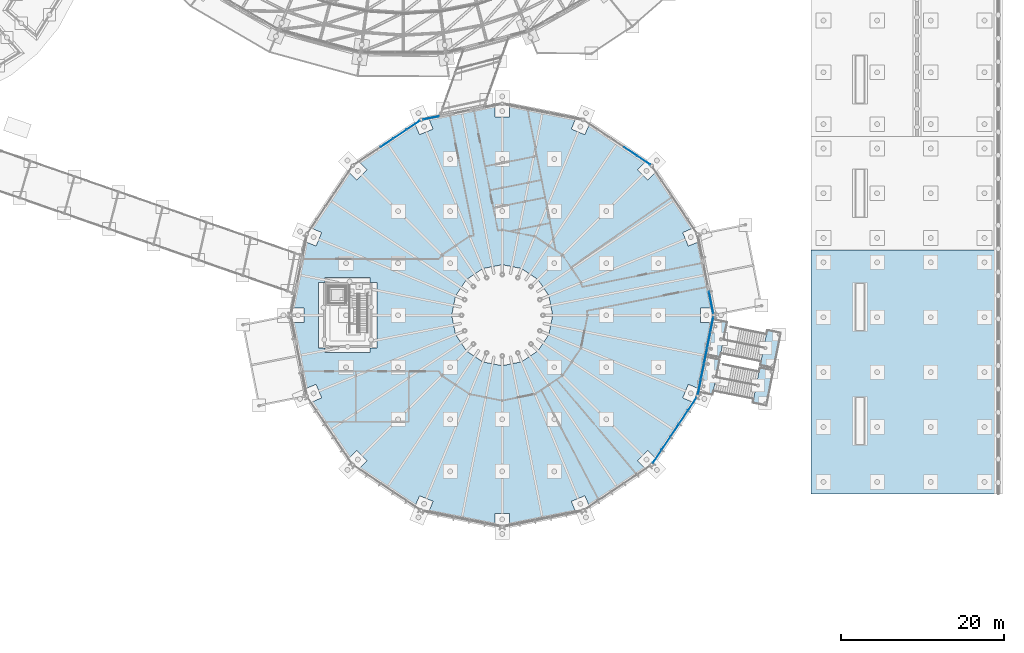
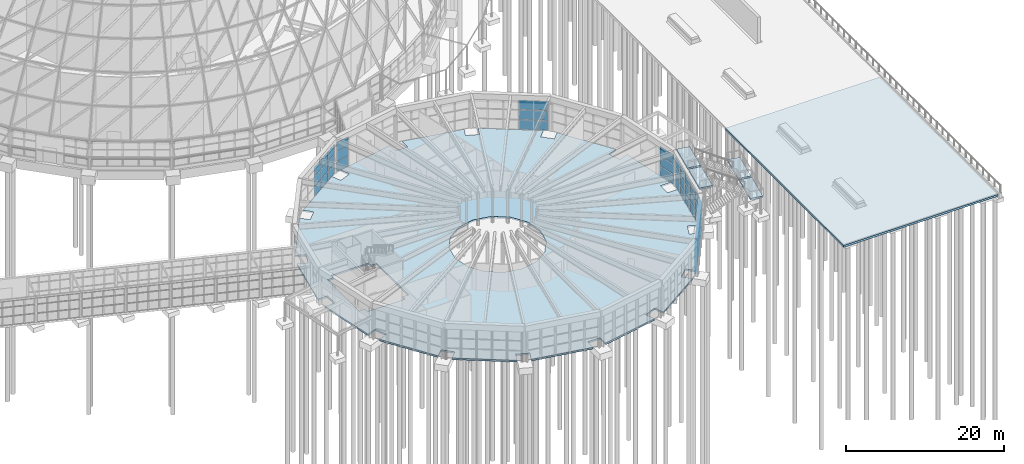
# One storey, part 143 of 226: 51 plates, 6 slabs, 8 elements without a shape of their own.
"""IFC4 building model written with IfcOpenShell, lengths in metres."""

from ifc_helpers import new_model, si_unit, direction, frame, origin, origin_2d, place, context, subcontext, project, spatial, polyline, rectangle, outline, extrude, material, layer, layer_set, type_object, element, aggregate, save


model = new_model("IFC4")

# Units and contexts
model_context = context("Model", 3, precision=1e-05, world=origin(), true_north=direction((0.0, 1.0)))
body_context = subcontext(model_context, "Body", "Model", "MODEL_VIEW")
ifc_project = project(units=[si_unit("LENGTHUNIT", "METRE"), si_unit("AREAUNIT", "SQUARE_METRE"), si_unit("VOLUMEUNIT", "CUBIC_METRE"), si_unit("PLANEANGLEUNIT", "RADIAN"), si_unit("MASSUNIT", "GRAM", prefix="KILO")], contexts=[model_context])

# Site, building, storey
site_placement = place(None, origin())
site = spatial("IfcSite", under=ifc_project, at=site_placement, CompositionType="ELEMENT")
building_placement = place(site_placement, origin())
building = spatial("IfcBuilding", under=site, at=building_placement, Name="Ceibo Conservatory and Research Tower", CompositionType="ELEMENT")
storey_placement = place(building_placement, origin())
storey = spatial("IfcBuildingStorey", under=building, at=storey_placement, Name="L00", CompositionType="ELEMENT", Elevation=0.0)

# Stair, slabs
ifc_material_1 = material(Name="Concrete C35/45", Category="concrete")
stair_type = type_object("IfcStairType", Name="External stair 3400", PredefinedType="DOUBLE_RETURN_STAIR", material=ifc_material_1)
stair_1_placement = place(storey_placement, origin())
stair_1 = element("IfcStair", 1, at=stair_1_placement, inside=storey, type_object=stair_type, Name="Pavilion external stair 1", PredefinedType="DOUBLE_RETURN_STAIR")
ifc_layer_1 = layer(ifc_material_1, 0.25)
ifc_layer_set_1 = layer_set([ifc_layer_1], Name="Concrete C35/45")
slab_type_1 = type_object("IfcSlabType", Name="External stair landing 250", PredefinedType="LANDING", material=ifc_layer_set_1)
slab_1_placement = place(storey_placement, frame((194.72705078125, 30.53076171875, 5.75), z_axis=(0.0, 0.0, 1.0), x_axis=(-0.980785283808, 0.195090304898, 0.0)))
slab_1 = element("IfcSlab", 2, at=slab_1_placement, type_object=slab_type_1, Name="VC-XS1 landing 1", PredefinedType="LANDING", context=body_context, shape_type="SweptSolid", body=[
    extrude(outline(polyline([(0.0, 0.0), (1.780029296875, 0.0), (1.780029296875, 4.39990234375), (0.0, 4.39990234375), (0.0, 0.0)])), origin(), (0.0, 0.0, 1.0), 0.25),
])
slab_2_placement = place(storey_placement, frame((201.33740234375, 29.2158203125, 2.583251953125), z_axis=(0.0, 0.0, 1.0), x_axis=(-0.980785283808, 0.195090304898, 0.0)))
slab_2 = element("IfcSlab", 3, at=slab_2_placement, type_object=slab_type_1, Name="VC-XS1 landing 2", PredefinedType="LANDING", context=body_context, shape_type="SweptSolid", body=[
    extrude(outline(polyline([(0.0, 0.0), (1.699951171875, 0.0), (1.699951171875, 4.39990234375), (0.0, 4.39990234375), (0.0, 0.0)])), origin(), (0.0, 0.0, 1.0), 0.25),
])
aggregate(stair_1, [slab_1, slab_2])

stair_2_placement = place(storey_placement, origin())
stair_2 = element("IfcStair", 4, at=stair_2_placement, inside=storey, type_object=stair_type, Name="Pavilion external stair 2", PredefinedType="DOUBLE_RETURN_STAIR")
slab_3_placement = place(storey_placement, frame((195.643798828125, 35.140380859375, 5.75), z_axis=(0.0, 0.0, 1.0), x_axis=(-0.980785283808, 0.195090304898, 0.0)))
slab_3 = element("IfcSlab", 5, at=slab_3_placement, type_object=slab_type_1, Name="VC-XS2 landing 1", PredefinedType="LANDING", context=body_context, shape_type="SweptSolid", body=[
    extrude(outline(polyline([(0.0, 0.0), (1.780029296875, 0.0), (1.780029296875, 4.39990234375), (0.0, 4.39990234375), (0.0, 0.0)])), origin(), (0.0, 0.0, 1.0), 0.25),
])
slab_4_placement = place(storey_placement, frame((202.25439453125, 33.825439453125, 2.583251953125), z_axis=(0.0, 0.0, 1.0), x_axis=(-0.980785283808, 0.195090304898, 0.0)))
slab_4 = element("IfcSlab", 6, at=slab_4_placement, type_object=slab_type_1, Name="VC-XS2 landing 2", PredefinedType="LANDING", context=body_context, shape_type="SweptSolid", body=[
    extrude(outline(polyline([(0.0, 0.0), (1.699951171875, 0.0), (1.699951171875, 4.39990234375), (0.0, 4.39990234375), (0.0, 0.0)])), origin(), (0.0, 0.0, 1.0), 0.25),
])
aggregate(stair_2, [slab_3, slab_4])

# Curtain wall, plates
ifc_material_2 = material(Name="Aluminium and glass", Category="aluminium")
curtain_wall_type = type_object("IfcCurtainWallType", Name="Pavilion curtain wall", PredefinedType="NOTDEFINED", material=ifc_material_2)
curtain_wall_1_placement = place(storey_placement, origin())
curtain_wall_1 = element("IfcCurtainWall", 7, at=curtain_wall_1_placement, inside=storey, type_object=curtain_wall_type, Name="Pavilion curtain wall VC-CW01W", PredefinedType="NOTDEFINED")
ifc_material_3 = material(Name="Laminated glass", Category="glass")
ifc_layer_2 = layer(ifc_material_3, 0.028076171875)
ifc_layer_set_2 = layer_set([ifc_layer_2], Name="Laminated glass")
plate_type = type_object("IfcPlateType", Name="Pavilion glass 28", PredefinedType="CURTAIN_PANEL", material=ifc_layer_set_2)
plate_1_placement = place(storey_placement, frame((193.690185546875, 37.557373046875, 0.06005859375), z_axis=(0.0, 0.0, 1.0), x_axis=(-0.195090311899, 0.980785282416, 0.0)))
plate_1 = element("IfcPlate", 8, at=plate_1_placement, type_object=plate_type, Name="VC-CW01W panel 1.1", PredefinedType="CURTAIN_PANEL", context=body_context, shape_type="SweptSolid", body=[
    extrude(rectangle(XDim=2.649169921875, YDim=0.028076171875, at=origin_2d()), origin(), (0.0, 0.0, 1.0), 1.490966796875),
])
plate_2_placement = place(storey_placement, frame((193.690185546875, 37.557373046875, 1.61083984375), z_axis=(0.0, 0.0, 1.0), x_axis=(-0.195090311899, 0.980785282416, 0.0)))
plate_2 = element("IfcPlate", 9, at=plate_2_placement, type_object=plate_type, Name="VC-CW01W panel 1.2", PredefinedType="CURTAIN_PANEL", context=body_context, shape_type="SweptSolid", body=[
    extrude(rectangle(XDim=2.649169921875, YDim=0.028076171875, at=origin_2d()), origin(), (0.0, 0.0, 1.0), 1.47412109375),
])
plate_3_placement = place(storey_placement, frame((193.690185546875, 37.557373046875, 3.14501953125), z_axis=(0.0, 0.0, 1.0), x_axis=(-0.195090311899, 0.980785282416, 0.0)))
plate_3 = element("IfcPlate", 10, at=plate_3_placement, type_object=plate_type, Name="VC-CW01W panel 1.3", PredefinedType="CURTAIN_PANEL", context=body_context, shape_type="SweptSolid", body=[
    extrude(rectangle(XDim=2.649169921875, YDim=0.028076171875, at=origin_2d()), origin(), (0.0, 0.0, 1.0), 1.444091796875),
])
aggregate(curtain_wall_1, [plate_1, plate_2, plate_3])

curtain_wall_2_placement = place(storey_placement, origin())
curtain_wall_2 = element("IfcCurtainWall", 11, at=curtain_wall_2_placement, inside=storey, type_object=curtain_wall_type, Name="Pavilion curtain wall VC-CW03", PredefinedType="NOTDEFINED")
plate_4_placement = place(storey_placement, frame((185.3935546875, 55.047119140625, 0.06005859375), z_axis=(0.0, 0.0, 1.0), x_axis=(-0.831469588992, 0.555570267906, 0.0)))
plate_4 = element("IfcPlate", 12, at=plate_4_placement, type_object=plate_type, Name="VC-CW03 panel 1.1", PredefinedType="CURTAIN_PANEL", context=body_context, shape_type="SweptSolid", body=[
    extrude(rectangle(XDim=1.857666015625, YDim=0.028076171875, at=origin_2d()), origin(), (0.0, 0.0, 1.0), 1.490966796875),
])
plate_5_placement = place(storey_placement, frame((185.3935546875, 55.047119140625, 1.61083984375), z_axis=(0.0, 0.0, 1.0), x_axis=(-0.831469588992, 0.555570267906, 0.0)))
plate_5 = element("IfcPlate", 13, at=plate_5_placement, type_object=plate_type, Name="VC-CW03 panel 1.2", PredefinedType="CURTAIN_PANEL", context=body_context, shape_type="SweptSolid", body=[
    extrude(rectangle(XDim=1.857666015625, YDim=0.028076171875, at=origin_2d()), origin(), (0.0, 0.0, 1.0), 1.47412109375),
])
plate_6_placement = place(storey_placement, frame((185.3935546875, 55.047119140625, 3.14501953125), z_axis=(0.0, 0.0, 1.0), x_axis=(-0.831469588992, 0.555570267906, 0.0)))
plate_6 = element("IfcPlate", 14, at=plate_6_placement, type_object=plate_type, Name="VC-CW03 panel 1.3", PredefinedType="CURTAIN_PANEL", context=body_context, shape_type="SweptSolid", body=[
    extrude(rectangle(XDim=1.857666015625, YDim=0.028076171875, at=origin_2d()), origin(), (0.0, 0.0, 1.0), 1.444091796875),
])
plate_7_placement = place(storey_placement, frame((183.78662109375, 56.120849609375, 0.06005859375), z_axis=(0.0, 0.0, 1.0), x_axis=(-0.831469588992, 0.555570267906, 0.0)))
plate_7 = element("IfcPlate", 15, at=plate_7_placement, type_object=plate_type, Name="VC-CW03 panel 2.1", PredefinedType="CURTAIN_PANEL", context=body_context, shape_type="SweptSolid", body=[
    extrude(rectangle(XDim=1.8876953125, YDim=0.028076171875, at=origin_2d()), origin(), (0.0, 0.0, 1.0), 1.490966796875),
])
plate_8_placement = place(storey_placement, frame((183.78662109375, 56.120849609375, 1.61083984375), z_axis=(0.0, 0.0, 1.0), x_axis=(-0.831469588992, 0.555570267906, 0.0)))
plate_8 = element("IfcPlate", 16, at=plate_8_placement, type_object=plate_type, Name="VC-CW03 panel 2.2", PredefinedType="CURTAIN_PANEL", context=body_context, shape_type="SweptSolid", body=[
    extrude(rectangle(XDim=1.8876953125, YDim=0.028076171875, at=origin_2d()), origin(), (0.0, 0.0, 1.0), 1.47412109375),
])
plate_9_placement = place(storey_placement, frame((183.78662109375, 56.120849609375, 3.14501953125), z_axis=(0.0, 0.0, 1.0), x_axis=(-0.831469588992, 0.555570267906, 0.0)))
plate_9 = element("IfcPlate", 17, at=plate_9_placement, type_object=plate_type, Name="VC-CW03 panel 2.3", PredefinedType="CURTAIN_PANEL", context=body_context, shape_type="SweptSolid", body=[
    extrude(rectangle(XDim=1.8876953125, YDim=0.028076171875, at=origin_2d()), origin(), (0.0, 0.0, 1.0), 1.444091796875),
])
aggregate(curtain_wall_2, [plate_4, plate_5, plate_6, plate_7, plate_8, plate_9])

curtain_wall_3_placement = place(storey_placement, origin())
curtain_wall_3 = element("IfcCurtainWall", 18, at=curtain_wall_3_placement, inside=storey, type_object=curtain_wall_type, Name="Pavilion curtain wall VC-CW05E", PredefinedType="NOTDEFINED")
plate_10_placement = place(storey_placement, frame((159.266845703125, 60.262939453125, 0.06005859375), z_axis=(0.0, 0.0, 1.0), x_axis=(-0.980785282416, -0.195090311899, 0.0)))
plate_10 = element("IfcPlate", 19, at=plate_10_placement, type_object=plate_type, Name="VC-CW05E panel 1.1", PredefinedType="CURTAIN_PANEL", context=body_context, shape_type="SweptSolid", body=[
    extrude(rectangle(XDim=1.954345703125, YDim=0.028076171875, at=origin_2d()), origin(), (0.0, 0.0, 1.0), 1.490966796875),
])
plate_11_placement = place(storey_placement, frame((159.266845703125, 60.262939453125, 1.61083984375), z_axis=(0.0, 0.0, 1.0), x_axis=(-0.980785282416, -0.195090311899, 0.0)))
plate_11 = element("IfcPlate", 20, at=plate_11_placement, type_object=plate_type, Name="VC-CW05E panel 1.2", PredefinedType="CURTAIN_PANEL", context=body_context, shape_type="SweptSolid", body=[
    extrude(rectangle(XDim=1.954345703125, YDim=0.028076171875, at=origin_2d()), origin(), (0.0, 0.0, 1.0), 1.47412109375),
])
plate_12_placement = place(storey_placement, frame((159.266845703125, 60.262939453125, 3.14501953125), z_axis=(0.0, 0.0, 1.0), x_axis=(-0.980785282416, -0.195090311899, 0.0)))
plate_12 = element("IfcPlate", 21, at=plate_12_placement, type_object=plate_type, Name="VC-CW05E panel 1.3", PredefinedType="CURTAIN_PANEL", context=body_context, shape_type="SweptSolid", body=[
    extrude(rectangle(XDim=1.954345703125, YDim=0.028076171875, at=origin_2d()), origin(), (0.0, 0.0, 1.0), 1.444091796875),
])
aggregate(curtain_wall_3, [plate_10, plate_11, plate_12])

curtain_wall_4_placement = place(storey_placement, origin())
curtain_wall_4 = element("IfcCurtainWall", 22, at=curtain_wall_4_placement, inside=storey, type_object=curtain_wall_type, Name="Pavilion curtain wall VC-CW06", PredefinedType="NOTDEFINED")
plate_13_placement = place(storey_placement, frame((157.05908203125, 59.358642578125, 0.06005859375), z_axis=(0.0, 0.0, 1.0), x_axis=(-0.831469588992, -0.555570267906, 0.0)))
plate_13 = element("IfcPlate", 23, at=plate_13_placement, type_object=plate_type, Name="VC-CW06 panel 1.1", PredefinedType="CURTAIN_PANEL", context=body_context, shape_type="SweptSolid", body=[
    extrude(rectangle(XDim=1.857666015625, YDim=0.028076171875, at=origin_2d()), origin(), (0.0, 0.0, 1.0), 1.490966796875),
])
plate_14_placement = place(storey_placement, frame((157.05908203125, 59.358642578125, 1.61083984375), z_axis=(0.0, 0.0, 1.0), x_axis=(-0.831469588992, -0.555570267906, 0.0)))
plate_14 = element("IfcPlate", 24, at=plate_14_placement, type_object=plate_type, Name="VC-CW06 panel 1.2", PredefinedType="CURTAIN_PANEL", context=body_context, shape_type="SweptSolid", body=[
    extrude(rectangle(XDim=1.857666015625, YDim=0.028076171875, at=origin_2d()), origin(), (0.0, 0.0, 1.0), 1.47412109375),
])
plate_15_placement = place(storey_placement, frame((157.05908203125, 59.358642578125, 3.14501953125), z_axis=(0.0, 0.0, 1.0), x_axis=(-0.831469588992, -0.555570267906, 0.0)))
plate_15 = element("IfcPlate", 25, at=plate_15_placement, type_object=plate_type, Name="VC-CW06 panel 1.3", PredefinedType="CURTAIN_PANEL", context=body_context, shape_type="SweptSolid", body=[
    extrude(rectangle(XDim=1.857666015625, YDim=0.028076171875, at=origin_2d()), origin(), (0.0, 0.0, 1.0), 1.444091796875),
])
plate_16_placement = place(storey_placement, frame((155.4521484375, 58.284912109375, 0.06005859375), z_axis=(0.0, 0.0, 1.0), x_axis=(-0.831469588992, -0.555570267906, 0.0)))
plate_16 = element("IfcPlate", 26, at=plate_16_placement, type_object=plate_type, Name="VC-CW06 panel 2.1", PredefinedType="CURTAIN_PANEL", context=body_context, shape_type="SweptSolid", body=[
    extrude(rectangle(XDim=1.8876953125, YDim=0.028076171875, at=origin_2d()), origin(), (0.0, 0.0, 1.0), 1.490966796875),
])
plate_17_placement = place(storey_placement, frame((155.4521484375, 58.284912109375, 1.61083984375), z_axis=(0.0, 0.0, 1.0), x_axis=(-0.831469588992, -0.555570267906, 0.0)))
plate_17 = element("IfcPlate", 27, at=plate_17_placement, type_object=plate_type, Name="VC-CW06 panel 2.2", PredefinedType="CURTAIN_PANEL", context=body_context, shape_type="SweptSolid", body=[
    extrude(rectangle(XDim=1.8876953125, YDim=0.028076171875, at=origin_2d()), origin(), (0.0, 0.0, 1.0), 1.47412109375),
])
plate_18_placement = place(storey_placement, frame((155.4521484375, 58.284912109375, 3.14501953125), z_axis=(0.0, 0.0, 1.0), x_axis=(-0.831469588992, -0.555570267906, 0.0)))
plate_18 = element("IfcPlate", 28, at=plate_18_placement, type_object=plate_type, Name="VC-CW06 panel 2.3", PredefinedType="CURTAIN_PANEL", context=body_context, shape_type="SweptSolid", body=[
    extrude(rectangle(XDim=1.8876953125, YDim=0.028076171875, at=origin_2d()), origin(), (0.0, 0.0, 1.0), 1.444091796875),
])
plate_19_placement = place(storey_placement, frame((153.832763671875, 57.202880859375, 0.06005859375), z_axis=(0.0, 0.0, 1.0), x_axis=(-0.831469588992, -0.555570267906, 0.0)))
plate_19 = element("IfcPlate", 29, at=plate_19_placement, type_object=plate_type, Name="VC-CW06 panel 3.1", PredefinedType="CURTAIN_PANEL", context=body_context, shape_type="SweptSolid", body=[
    extrude(rectangle(XDim=1.8876953125, YDim=0.028076171875, at=origin_2d()), origin(), (0.0, 0.0, 1.0), 1.490966796875),
])
plate_20_placement = place(storey_placement, frame((153.832763671875, 57.202880859375, 1.61083984375), z_axis=(0.0, 0.0, 1.0), x_axis=(-0.831469588992, -0.555570267906, 0.0)))
plate_20 = element("IfcPlate", 30, at=plate_20_placement, type_object=plate_type, Name="VC-CW06 panel 3.2", PredefinedType="CURTAIN_PANEL", context=body_context, shape_type="SweptSolid", body=[
    extrude(rectangle(XDim=1.8876953125, YDim=0.028076171875, at=origin_2d()), origin(), (0.0, 0.0, 1.0), 1.47412109375),
])
plate_21_placement = place(storey_placement, frame((153.832763671875, 57.202880859375, 3.14501953125), z_axis=(0.0, 0.0, 1.0), x_axis=(-0.831469588992, -0.555570267906, 0.0)))
plate_21 = element("IfcPlate", 31, at=plate_21_placement, type_object=plate_type, Name="VC-CW06 panel 3.3", PredefinedType="CURTAIN_PANEL", context=body_context, shape_type="SweptSolid", body=[
    extrude(rectangle(XDim=1.8876953125, YDim=0.028076171875, at=origin_2d()), origin(), (0.0, 0.0, 1.0), 1.444091796875),
])
aggregate(curtain_wall_4, [plate_13, plate_14, plate_15, plate_16, plate_17, plate_18, plate_19, plate_20, plate_21])

curtain_wall_5_placement = place(storey_placement, origin())
curtain_wall_5 = element("IfcCurtainWall", 32, at=curtain_wall_5_placement, inside=storey, type_object=curtain_wall_type, Name="Pavilion curtain wall VC-CW15", PredefinedType="NOTDEFINED")
plate_22_placement = place(storey_placement, frame((187.047119140625, 18.6064453125, 0.06005859375), z_axis=(0.0, 0.0, 1.0), x_axis=(0.555570267906, 0.831469588992, 0.0)))
plate_22 = element("IfcPlate", 33, at=plate_22_placement, type_object=plate_type, Name="VC-CW15 panel 1.1", PredefinedType="CURTAIN_PANEL", context=body_context, shape_type="SweptSolid", body=[
    extrude(rectangle(XDim=1.857666015625, YDim=0.028076171875, at=origin_2d()), origin(), (0.0, 0.0, 1.0), 1.490966796875),
])
plate_23_placement = place(storey_placement, frame((187.047119140625, 18.6064453125, 1.61083984375), z_axis=(0.0, 0.0, 1.0), x_axis=(0.555570267906, 0.831469588992, 0.0)))
plate_23 = element("IfcPlate", 34, at=plate_23_placement, type_object=plate_type, Name="VC-CW15 panel 1.2", PredefinedType="CURTAIN_PANEL", context=body_context, shape_type="SweptSolid", body=[
    extrude(rectangle(XDim=1.857666015625, YDim=0.028076171875, at=origin_2d()), origin(), (0.0, 0.0, 1.0), 1.47412109375),
])
plate_24_placement = place(storey_placement, frame((187.047119140625, 18.6064453125, 3.14501953125), z_axis=(0.0, 0.0, 1.0), x_axis=(0.555570267906, 0.831469588992, 0.0)))
plate_24 = element("IfcPlate", 35, at=plate_24_placement, type_object=plate_type, Name="VC-CW15 panel 1.3", PredefinedType="CURTAIN_PANEL", context=body_context, shape_type="SweptSolid", body=[
    extrude(rectangle(XDim=1.857666015625, YDim=0.028076171875, at=origin_2d()), origin(), (0.0, 0.0, 1.0), 1.444091796875),
])
plate_25_placement = place(storey_placement, frame((188.120849609375, 20.21337890625, 0.06005859375), z_axis=(0.0, 0.0, 1.0), x_axis=(0.555570267906, 0.831469588992, 0.0)))
plate_25 = element("IfcPlate", 36, at=plate_25_placement, type_object=plate_type, Name="VC-CW15 panel 2.1", PredefinedType="CURTAIN_PANEL", context=body_context, shape_type="SweptSolid", body=[
    extrude(rectangle(XDim=1.8876953125, YDim=0.028076171875, at=origin_2d()), origin(), (0.0, 0.0, 1.0), 1.490966796875),
])
plate_26_placement = place(storey_placement, frame((188.120849609375, 20.21337890625, 1.61083984375), z_axis=(0.0, 0.0, 1.0), x_axis=(0.555570267906, 0.831469588992, 0.0)))
plate_26 = element("IfcPlate", 37, at=plate_26_placement, type_object=plate_type, Name="VC-CW15 panel 2.2", PredefinedType="CURTAIN_PANEL", context=body_context, shape_type="SweptSolid", body=[
    extrude(rectangle(XDim=1.8876953125, YDim=0.028076171875, at=origin_2d()), origin(), (0.0, 0.0, 1.0), 1.47412109375),
])
plate_27_placement = place(storey_placement, frame((188.120849609375, 20.21337890625, 3.14501953125), z_axis=(0.0, 0.0, 1.0), x_axis=(0.555570267906, 0.831469588992, 0.0)))
plate_27 = element("IfcPlate", 38, at=plate_27_placement, type_object=plate_type, Name="VC-CW15 panel 2.3", PredefinedType="CURTAIN_PANEL", context=body_context, shape_type="SweptSolid", body=[
    extrude(rectangle(XDim=1.8876953125, YDim=0.028076171875, at=origin_2d()), origin(), (0.0, 0.0, 1.0), 1.444091796875),
])
plate_28_placement = place(storey_placement, frame((189.202880859375, 21.832763671875, 0.06005859375), z_axis=(0.0, 0.0, 1.0), x_axis=(0.555570267906, 0.831469588992, 0.0)))
plate_28 = element("IfcPlate", 39, at=plate_28_placement, type_object=plate_type, Name="VC-CW15 panel 3.1", PredefinedType="CURTAIN_PANEL", context=body_context, shape_type="SweptSolid", body=[
    extrude(rectangle(XDim=1.8876953125, YDim=0.028076171875, at=origin_2d()), origin(), (0.0, 0.0, 1.0), 1.490966796875),
])
plate_29_placement = place(storey_placement, frame((189.202880859375, 21.832763671875, 1.61083984375), z_axis=(0.0, 0.0, 1.0), x_axis=(0.555570267906, 0.831469588992, 0.0)))
plate_29 = element("IfcPlate", 40, at=plate_29_placement, type_object=plate_type, Name="VC-CW15 panel 3.2", PredefinedType="CURTAIN_PANEL", context=body_context, shape_type="SweptSolid", body=[
    extrude(rectangle(XDim=1.8876953125, YDim=0.028076171875, at=origin_2d()), origin(), (0.0, 0.0, 1.0), 1.47412109375),
])
plate_30_placement = place(storey_placement, frame((189.202880859375, 21.832763671875, 3.14501953125), z_axis=(0.0, 0.0, 1.0), x_axis=(0.555570267906, 0.831469588992, 0.0)))
plate_30 = element("IfcPlate", 41, at=plate_30_placement, type_object=plate_type, Name="VC-CW15 panel 3.3", PredefinedType="CURTAIN_PANEL", context=body_context, shape_type="SweptSolid", body=[
    extrude(rectangle(XDim=1.8876953125, YDim=0.028076171875, at=origin_2d()), origin(), (0.0, 0.0, 1.0), 1.444091796875),
])
plate_31_placement = place(storey_placement, frame((190.284912109375, 23.4521484375, 0.06005859375), z_axis=(0.0, 0.0, 1.0), x_axis=(0.555570267906, 0.831469588992, 0.0)))
plate_31 = element("IfcPlate", 42, at=plate_31_placement, type_object=plate_type, Name="VC-CW15 panel 4.1", PredefinedType="CURTAIN_PANEL", context=body_context, shape_type="SweptSolid", body=[
    extrude(rectangle(XDim=1.8876953125, YDim=0.028076171875, at=origin_2d()), origin(), (0.0, 0.0, 1.0), 1.490966796875),
])
plate_32_placement = place(storey_placement, frame((190.284912109375, 23.4521484375, 1.61083984375), z_axis=(0.0, 0.0, 1.0), x_axis=(0.555570267906, 0.831469588992, 0.0)))
plate_32 = element("IfcPlate", 43, at=plate_32_placement, type_object=plate_type, Name="VC-CW15 panel 4.2", PredefinedType="CURTAIN_PANEL", context=body_context, shape_type="SweptSolid", body=[
    extrude(rectangle(XDim=1.8876953125, YDim=0.028076171875, at=origin_2d()), origin(), (0.0, 0.0, 1.0), 1.47412109375),
])
plate_33_placement = place(storey_placement, frame((190.284912109375, 23.4521484375, 3.14501953125), z_axis=(0.0, 0.0, 1.0), x_axis=(0.555570267906, 0.831469588992, 0.0)))
plate_33 = element("IfcPlate", 44, at=plate_33_placement, type_object=plate_type, Name="VC-CW15 panel 4.3", PredefinedType="CURTAIN_PANEL", context=body_context, shape_type="SweptSolid", body=[
    extrude(rectangle(XDim=1.8876953125, YDim=0.028076171875, at=origin_2d()), origin(), (0.0, 0.0, 1.0), 1.444091796875),
])
plate_34_placement = place(storey_placement, frame((191.358642578125, 25.05908203125, 0.06005859375), z_axis=(0.0, 0.0, 1.0), x_axis=(0.555570267906, 0.831469588992, 0.0)))
plate_34 = element("IfcPlate", 45, at=plate_34_placement, type_object=plate_type, Name="VC-CW15 panel 5.1", PredefinedType="CURTAIN_PANEL", context=body_context, shape_type="SweptSolid", body=[
    extrude(rectangle(XDim=1.857666015625, YDim=0.028076171875, at=origin_2d()), origin(), (0.0, 0.0, 1.0), 1.490966796875),
])
plate_35_placement = place(storey_placement, frame((191.358642578125, 25.05908203125, 1.61083984375), z_axis=(0.0, 0.0, 1.0), x_axis=(0.555570267906, 0.831469588992, 0.0)))
plate_35 = element("IfcPlate", 46, at=plate_35_placement, type_object=plate_type, Name="VC-CW15 panel 5.2", PredefinedType="CURTAIN_PANEL", context=body_context, shape_type="SweptSolid", body=[
    extrude(rectangle(XDim=1.857666015625, YDim=0.028076171875, at=origin_2d()), origin(), (0.0, 0.0, 1.0), 1.47412109375),
])
plate_36_placement = place(storey_placement, frame((191.358642578125, 25.05908203125, 3.14501953125), z_axis=(0.0, 0.0, 1.0), x_axis=(0.555570267906, 0.831469588992, 0.0)))
plate_36 = element("IfcPlate", 47, at=plate_36_placement, type_object=plate_type, Name="VC-CW15 panel 5.3", PredefinedType="CURTAIN_PANEL", context=body_context, shape_type="SweptSolid", body=[
    extrude(rectangle(XDim=1.857666015625, YDim=0.028076171875, at=origin_2d()), origin(), (0.0, 0.0, 1.0), 1.444091796875),
])
aggregate(curtain_wall_5, [plate_22, plate_23, plate_24, plate_25, plate_26, plate_27, plate_28, plate_29, plate_30, plate_31, plate_32, plate_33, plate_34, plate_35, plate_36])

curtain_wall_6_placement = place(storey_placement, origin())
curtain_wall_6 = element("IfcCurtainWall", 48, at=curtain_wall_6_placement, inside=storey, type_object=curtain_wall_type, Name="Pavilion curtain wall VC-CW16", PredefinedType="NOTDEFINED")
plate_37_placement = place(storey_placement, frame((192.25341796875, 27.21923828125, 0.06005859375), z_axis=(0.0, 0.0, 1.0), x_axis=(0.195090311899, 0.980785282416, 0.0)))
plate_37 = element("IfcPlate", 49, at=plate_37_placement, type_object=plate_type, Name="VC-CW16 panel 1.1", PredefinedType="CURTAIN_PANEL", context=body_context, shape_type="SweptSolid", body=[
    extrude(rectangle(XDim=1.857666015625, YDim=0.028076171875, at=origin_2d()), origin(), (0.0, 0.0, 1.0), 1.490966796875),
])
plate_38_placement = place(storey_placement, frame((192.25341796875, 27.21923828125, 1.61083984375), z_axis=(0.0, 0.0, 1.0), x_axis=(0.195090311899, 0.980785282416, 0.0)))
plate_38 = element("IfcPlate", 50, at=plate_38_placement, type_object=plate_type, Name="VC-CW16 panel 1.2", PredefinedType="CURTAIN_PANEL", context=body_context, shape_type="SweptSolid", body=[
    extrude(rectangle(XDim=1.857666015625, YDim=0.028076171875, at=origin_2d()), origin(), (0.0, 0.0, 1.0), 1.47412109375),
])
plate_39_placement = place(storey_placement, frame((192.25341796875, 27.21923828125, 3.14501953125), z_axis=(0.0, 0.0, 1.0), x_axis=(0.195090311899, 0.980785282416, 0.0)))
plate_39 = element("IfcPlate", 51, at=plate_39_placement, type_object=plate_type, Name="VC-CW16 panel 1.3", PredefinedType="CURTAIN_PANEL", context=body_context, shape_type="SweptSolid", body=[
    extrude(rectangle(XDim=1.857666015625, YDim=0.028076171875, at=origin_2d()), origin(), (0.0, 0.0, 1.0), 1.444091796875),
])
plate_40_placement = place(storey_placement, frame((192.63037109375, 29.114990234375, 0.06005859375), z_axis=(0.0, 0.0, 1.0), x_axis=(0.195090311899, 0.980785282416, 0.0)))
plate_40 = element("IfcPlate", 52, at=plate_40_placement, type_object=plate_type, Name="VC-CW16 panel 2.1", PredefinedType="CURTAIN_PANEL", context=body_context, shape_type="SweptSolid", body=[
    extrude(rectangle(XDim=1.8876953125, YDim=0.028076171875, at=origin_2d()), origin(), (0.0, 0.0, 1.0), 1.490966796875),
])
plate_41_placement = place(storey_placement, frame((192.63037109375, 29.114990234375, 1.61083984375), z_axis=(0.0, 0.0, 1.0), x_axis=(0.195090311899, 0.980785282416, 0.0)))
plate_41 = element("IfcPlate", 53, at=plate_41_placement, type_object=plate_type, Name="VC-CW16 panel 2.2", PredefinedType="CURTAIN_PANEL", context=body_context, shape_type="SweptSolid", body=[
    extrude(rectangle(XDim=1.8876953125, YDim=0.028076171875, at=origin_2d()), origin(), (0.0, 0.0, 1.0), 1.47412109375),
])
plate_42_placement = place(storey_placement, frame((192.63037109375, 29.114990234375, 3.14501953125), z_axis=(0.0, 0.0, 1.0), x_axis=(0.195090311899, 0.980785282416, 0.0)))
plate_42 = element("IfcPlate", 54, at=plate_42_placement, type_object=plate_type, Name="VC-CW16 panel 2.3", PredefinedType="CURTAIN_PANEL", context=body_context, shape_type="SweptSolid", body=[
    extrude(rectangle(XDim=1.8876953125, YDim=0.028076171875, at=origin_2d()), origin(), (0.0, 0.0, 1.0), 1.444091796875),
])
plate_43_placement = place(storey_placement, frame((193.010498046875, 31.025146484375, 0.06005859375), z_axis=(0.0, 0.0, 1.0), x_axis=(0.195090311899, 0.980785282416, 0.0)))
plate_43 = element("IfcPlate", 55, at=plate_43_placement, type_object=plate_type, Name="VC-CW16 panel 3.1", PredefinedType="CURTAIN_PANEL", context=body_context, shape_type="SweptSolid", body=[
    extrude(rectangle(XDim=1.8876953125, YDim=0.028076171875, at=origin_2d()), origin(), (0.0, 0.0, 1.0), 1.490966796875),
])
plate_44_placement = place(storey_placement, frame((193.010498046875, 31.025146484375, 1.61083984375), z_axis=(0.0, 0.0, 1.0), x_axis=(0.195090311899, 0.980785282416, 0.0)))
plate_44 = element("IfcPlate", 56, at=plate_44_placement, type_object=plate_type, Name="VC-CW16 panel 3.2", PredefinedType="CURTAIN_PANEL", context=body_context, shape_type="SweptSolid", body=[
    extrude(rectangle(XDim=1.8876953125, YDim=0.028076171875, at=origin_2d()), origin(), (0.0, 0.0, 1.0), 1.47412109375),
])
plate_45_placement = place(storey_placement, frame((193.010498046875, 31.025146484375, 3.14501953125), z_axis=(0.0, 0.0, 1.0), x_axis=(0.195090311899, 0.980785282416, 0.0)))
plate_45 = element("IfcPlate", 57, at=plate_45_placement, type_object=plate_type, Name="VC-CW16 panel 3.3", PredefinedType="CURTAIN_PANEL", context=body_context, shape_type="SweptSolid", body=[
    extrude(rectangle(XDim=1.8876953125, YDim=0.028076171875, at=origin_2d()), origin(), (0.0, 0.0, 1.0), 1.444091796875),
])
plate_46_placement = place(storey_placement, frame((193.390380859375, 32.935302734375, 0.06005859375), z_axis=(0.0, 0.0, 1.0), x_axis=(0.195090311899, 0.980785282416, 0.0)))
plate_46 = element("IfcPlate", 58, at=plate_46_placement, type_object=plate_type, Name="VC-CW16 panel 4.1", PredefinedType="CURTAIN_PANEL", context=body_context, shape_type="SweptSolid", body=[
    extrude(rectangle(XDim=1.8876953125, YDim=0.028076171875, at=origin_2d()), origin(), (0.0, 0.0, 1.0), 1.490966796875),
])
plate_47_placement = place(storey_placement, frame((193.390380859375, 32.935302734375, 1.61083984375), z_axis=(0.0, 0.0, 1.0), x_axis=(0.195090311899, 0.980785282416, 0.0)))
plate_47 = element("IfcPlate", 59, at=plate_47_placement, type_object=plate_type, Name="VC-CW16 panel 4.2", PredefinedType="CURTAIN_PANEL", context=body_context, shape_type="SweptSolid", body=[
    extrude(rectangle(XDim=1.8876953125, YDim=0.028076171875, at=origin_2d()), origin(), (0.0, 0.0, 1.0), 1.47412109375),
])
plate_48_placement = place(storey_placement, frame((193.390380859375, 32.935302734375, 3.14501953125), z_axis=(0.0, 0.0, 1.0), x_axis=(0.195090311899, 0.980785282416, 0.0)))
plate_48 = element("IfcPlate", 60, at=plate_48_placement, type_object=plate_type, Name="VC-CW16 panel 4.3", PredefinedType="CURTAIN_PANEL", context=body_context, shape_type="SweptSolid", body=[
    extrude(rectangle(XDim=1.8876953125, YDim=0.028076171875, at=origin_2d()), origin(), (0.0, 0.0, 1.0), 1.444091796875),
])
plate_49_placement = place(storey_placement, frame((193.767333984375, 34.830810546875, 0.06005859375), z_axis=(0.0, 0.0, 1.0), x_axis=(0.195090311899, 0.980785282416, 0.0)))
plate_49 = element("IfcPlate", 61, at=plate_49_placement, type_object=plate_type, Name="VC-CW16 panel 5.1", PredefinedType="CURTAIN_PANEL", context=body_context, shape_type="SweptSolid", body=[
    extrude(rectangle(XDim=1.857666015625, YDim=0.028076171875, at=origin_2d()), origin(), (0.0, 0.0, 1.0), 1.490966796875),
])
plate_50_placement = place(storey_placement, frame((193.767333984375, 34.830810546875, 1.61083984375), z_axis=(0.0, 0.0, 1.0), x_axis=(0.195090311899, 0.980785282416, 0.0)))
plate_50 = element("IfcPlate", 62, at=plate_50_placement, type_object=plate_type, Name="VC-CW16 panel 5.2", PredefinedType="CURTAIN_PANEL", context=body_context, shape_type="SweptSolid", body=[
    extrude(rectangle(XDim=1.857666015625, YDim=0.028076171875, at=origin_2d()), origin(), (0.0, 0.0, 1.0), 1.47412109375),
])
plate_51_placement = place(storey_placement, frame((193.767333984375, 34.830810546875, 3.14501953125), z_axis=(0.0, 0.0, 1.0), x_axis=(0.195090311899, 0.980785282416, 0.0)))
plate_51 = element("IfcPlate", 63, at=plate_51_placement, type_object=plate_type, Name="VC-CW16 panel 5.3", PredefinedType="CURTAIN_PANEL", context=body_context, shape_type="SweptSolid", body=[
    extrude(rectangle(XDim=1.857666015625, YDim=0.028076171875, at=origin_2d()), origin(), (0.0, 0.0, 1.0), 1.444091796875),
])
aggregate(curtain_wall_6, [plate_37, plate_38, plate_39, plate_40, plate_41, plate_42, plate_43, plate_44, plate_45, plate_46, plate_47, plate_48, plate_49, plate_50, plate_51])

# Slabs
ifc_layer_3 = layer(ifc_material_1, 0.25)
ifc_layer_set_3 = layer_set([ifc_layer_3], Name="Concrete C35/45")
slab_type_2 = type_object("IfcSlabType", Name="RC floor slab 250 on piles", PredefinedType="BASESLAB", material=ifc_layer_set_3)
slab_5_placement = place(storey_placement, frame((0.0, 0.0, -0.25)))
element("IfcSlab", 64, at=slab_5_placement, inside=storey, type_object=slab_type_2, Name="Visitor centre floor slab", PredefinedType="BASESLAB", context=body_context, shape_type="SweptSolid", body=[
    extrude(outline(polyline([(192.39990234375, 36.89990234375), (192.39990234375, 35.10009765625), (193.821044921875, 35.10009765625), (192.199951171875, 26.9501953125), (190.88720703125, 27.493896484375), (190.1982421875, 25.8310546875), (191.510986328125, 25.287109375), (186.89453125, 18.378173828125), (185.889892578125, 19.383056640625), (184.616943359375, 18.110107421875), (185.621826171875, 17.10546875), (178.712890625, 12.489013671875), (178.1689453125, 13.8017578125), (176.506103515625, 13.11279296875), (177.0498046875, 11.800048828125), (168.89990234375, 10.178955078125), (168.89990234375, 11.60009765625), (167.10009765625, 11.60009765625), (167.10009765625, 10.178955078125), (158.9501953125, 11.800048828125), (159.493896484375, 13.11279296875), (157.8310546875, 13.8017578125), (157.287109375, 12.489013671875), (150.378173828125, 17.10546875), (151.383056640625, 18.110107421875), (150.110107421875, 19.383056640625), (149.10546875, 18.378173828125), (144.489013671875, 25.287109375), (145.8017578125, 25.8310546875), (145.11279296875, 27.493896484375), (143.800048828125, 26.9501953125), (142.178955078125, 35.10009765625), (143.60009765625, 35.10009765625), (143.60009765625, 36.89990234375), (142.178955078125, 36.89990234375), (143.800048828125, 45.0498046875), (145.11279296875, 44.506103515625), (145.8017578125, 46.1689453125), (144.489013671875, 46.712890625), (149.10546875, 53.621826171875), (150.110107421875, 52.616943359375), (151.383056640625, 53.889892578125), (150.378173828125, 54.89453125), (157.287109375, 59.510986328125), (157.8310546875, 58.1982421875), (159.493896484375, 58.88720703125), (158.9501953125, 60.199951171875), (167.10009765625, 61.821044921875), (167.10009765625, 60.39990234375), (168.89990234375, 60.39990234375), (168.89990234375, 61.821044921875), (177.0498046875, 60.199951171875), (176.506103515625, 58.88720703125), (178.1689453125, 58.1982421875), (178.712890625, 59.510986328125), (185.621826171875, 54.89453125), (184.616943359375, 53.889892578125), (185.889892578125, 52.616943359375), (186.89453125, 53.621826171875), (191.510986328125, 46.712890625), (190.1982421875, 46.1689453125), (190.88720703125, 44.506103515625), (192.199951171875, 45.0498046875), (193.821044921875, 36.89990234375), (192.39990234375, 36.89990234375)]), holes=[polyline([(151.760009765625, 40.010009765625), (151.760009765625, 40.610107421875), (146.239990234375, 40.610107421875), (146.239990234375, 40.010009765625), (145.389892578125, 40.010009765625), (145.389892578125, 31.989990234375), (146.239990234375, 31.989990234375), (146.239990234375, 31.389892578125), (151.760009765625, 31.389892578125), (151.760009765625, 31.989990234375), (152.610107421875, 31.989990234375), (152.610107421875, 40.010009765625), (151.760009765625, 40.010009765625)]), polyline([(163.608642578125, 31.608642578125), (165.62353515625, 30.262451171875), (168.0, 29.789794921875), (170.37646484375, 30.262451171875), (172.391357421875, 31.608642578125), (173.737548828125, 33.62353515625), (174.210205078125, 36.0), (173.737548828125, 38.37646484375), (172.391357421875, 40.391357421875), (170.37646484375, 41.737548828125), (168.0, 42.210205078125), (165.62353515625, 41.737548828125), (163.608642578125, 40.391357421875), (162.262451171875, 38.37646484375), (161.789794921875, 36.0), (162.262451171875, 33.62353515625), (163.608642578125, 31.608642578125)])]), origin(), (0.0, 0.0, 1.0), 0.25),
])
ifc_layer_4 = layer(ifc_material_1, 0.300048828125)
ifc_layer_set_4 = layer_set([ifc_layer_4], Name="Concrete C35/45")
slab_type_3 = type_object("IfcSlabType", Name="RC quay deck slab 300", PredefinedType="BASESLAB", material=ifc_layer_set_4)
slab_6_placement = place(storey_placement, frame((0.0, 0.0, -0.449951171875)))
element("IfcSlab", 65, at=slab_6_placement, inside=storey, type_object=slab_type_3, Name="Quay deck slab N1", PredefinedType="BASESLAB", context=body_context, shape_type="SweptSolid", body=[
    extrude(outline(polyline([(228.60009765625, 14.0), (228.60009765625, 44.0), (206.0, 44.0), (206.0, 14.0), (228.60009765625, 14.0)])), origin(), (0.0, 0.0, 1.0), 0.300048828125),
])

save(model, "model.ifc")
